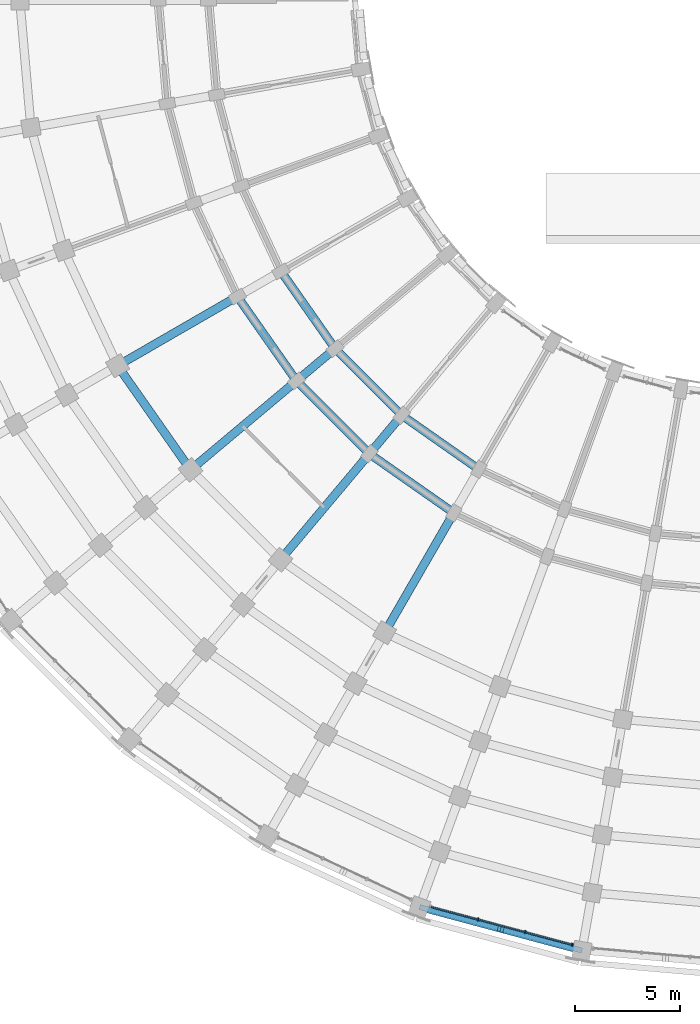
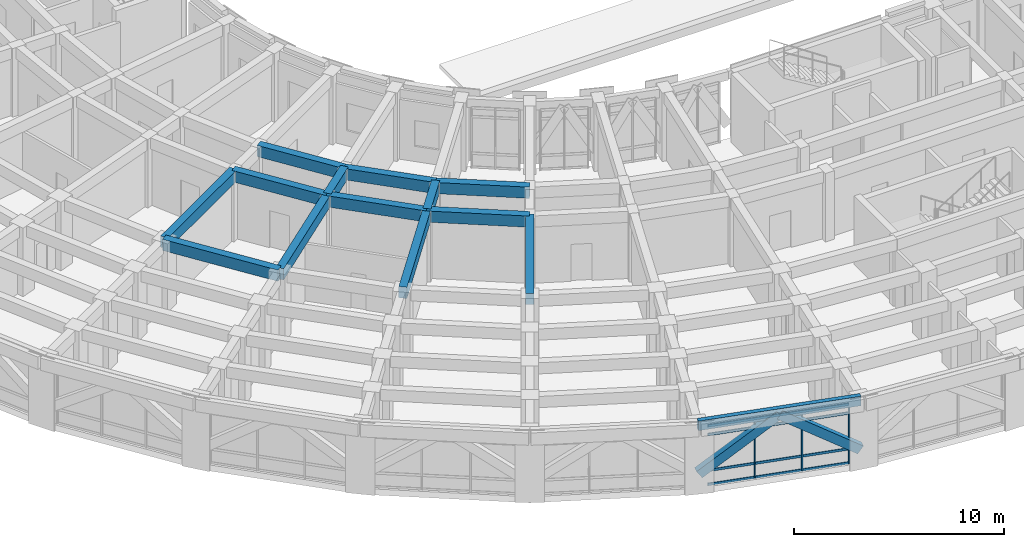
# One storey, part 7 of 97: 16 beams, 7 members, 1 element without a shape of its own.
"""IFC4 building model written with IfcOpenShell, lengths in metres."""

from ifc_helpers import new_model, si_unit, direction, frame, origin, origin_2d, place, context, subcontext, project, spatial, rectangle, extrude, material, material_profile, profile_set, type_object, element, aggregate, save


model = new_model("IFC4")

# Units and contexts
model_context = context("Model", 3, precision=1e-05, world=origin(), true_north=direction((0.0, 1.0)))
body_context = subcontext(model_context, "Body", "Model", "MODEL_VIEW")
ifc_project = project(units=[si_unit("LENGTHUNIT", "METRE"), si_unit("AREAUNIT", "SQUARE_METRE"), si_unit("VOLUMEUNIT", "CUBIC_METRE"), si_unit("PLANEANGLEUNIT", "RADIAN"), si_unit("MASSUNIT", "GRAM", prefix="KILO")], contexts=[model_context])

# Site, building, storey
site_placement = place(None, origin())
site = spatial("IfcSite", under=ifc_project, at=site_placement, CompositionType="ELEMENT")
building_placement = place(site_placement, origin())
building = spatial("IfcBuilding", under=site, at=building_placement, Name="Kiranvali Square Residences", CompositionType="ELEMENT")
storey_placement = place(building_placement, frame((0.0, 0.0, 4.5)))
storey = spatial("IfcBuildingStorey", under=building, at=storey_placement, Name="L01", CompositionType="ELEMENT", Elevation=4.5)

# Beams
ifc_material_1 = material(Name="Concrete M40 (40 MPa)", Category="concrete")
ifc_material_profile_1 = material_profile(ifc_material_1, rectangle(XDim=0.35009765625, YDim=0.5, at=origin_2d()), Name="RC 350x500")
ifc_profile_set_1 = profile_set([ifc_material_profile_1], Name="Concrete M40 (40 MPa)")
beam_type_1 = type_object("IfcBeamType", Name="AR-M40-350x500", PredefinedType="USERDEFINED", material=ifc_profile_set_1)
for number, where, z_axis, x_axis, name in (
    (1, (40.173583984375, 2.9091796875, 0.89990234375), (-0.793981793339, 0.212753144827, 0.56949891239), (-0.2588262692, -0.965923890569, 0.0), "Classical pointed Ottoman arch rib ARCH-C-CRV-7-01.1"),
    (2, (36.339599609375, 3.9365234375, 3.64990234375), (-0.793981793339, 0.212753144827, -0.56949891239), (-0.2588262692, -0.965923890569, 0.0), "Classical pointed Ottoman arch rib ARCH-C-CRV-7-01.2"),
):
    element("IfcBeam", number, at=place(storey_placement, frame(where, z_axis=z_axis, x_axis=x_axis)), inside=storey, type_object=beam_type_1, Name=name, ObjectType="ARCH RIB", PredefinedType="USERDEFINED", context=body_context, shape_type="SweptSolid", body=[
        extrude(rectangle(XDim=0.35009765625, YDim=0.5, at=origin_2d()), origin(), (0.0, 0.0, 1.0), 4.828857421875),
    ])
ifc_material_2 = material(Name="Concrete M45 (45 MPa)", Category="concrete")
ifc_material_profile_2 = material_profile(ifc_material_2, rectangle(XDim=0.39990234375, YDim=0.64990234375, at=origin_2d()), Name="RC 400x650")
ifc_profile_set_2 = profile_set([ifc_material_profile_2], Name="Concrete M45 (45 MPa)")
beam_type_2 = type_object("IfcBeamType", Name="BM-M45-400x650", PredefinedType="BEAM", material=ifc_profile_set_2)
beam_1_placement = place(storey_placement, frame((35.300048828125, 25.8564453125, 3.655029296875), z_axis=(-0.819155404658, 0.573571637217, 0.0), x_axis=(-0.573571637217, -0.819155404658, 0.0)))
element("IfcBeam", 3, at=beam_1_placement, inside=storey, type_object=beam_type_2, Name="L01 beam BM-C-L01-C03-R1", PredefinedType="BEAM", context=body_context, shape_type="SweptSolid", body=[
    extrude(rectangle(XDim=0.39990234375, YDim=0.64990234375, at=origin_2d()), origin(), (0.0, 0.0, 1.0), 4.497314453125),
])
beam_2_placement = place(storey_placement, frame((34.10009765625, 23.778076171875, 3.655029296875), z_axis=(-0.819140911474, 0.573592335331, 0.0), x_axis=(-0.573592335331, -0.819140911474, 0.0)))
element("IfcBeam", 4, at=beam_2_placement, inside=storey, type_object=beam_type_2, Name="L01 beam BM-C-L01-C03-R2", PredefinedType="BEAM", context=body_context, shape_type="SweptSolid", body=[
    extrude(rectangle(XDim=0.39990234375, YDim=0.64990234375, at=origin_2d()), origin(), (0.0, 0.0, 1.0), 4.915771484375),
])
beam_3_placement = place(storey_placement, frame((31.615966796875, 28.43603515625, 3.655029296875), z_axis=(-0.707106781187, 0.707106781187, 0.0), x_axis=(-0.707106781187, -0.707106781187, 0.0)))
element("IfcBeam", 5, at=beam_3_placement, inside=storey, type_object=beam_type_2, Name="L01 beam BM-C-L01-C04-R1", PredefinedType="BEAM", context=body_context, shape_type="SweptSolid", body=[
    extrude(rectangle(XDim=0.39990234375, YDim=0.64990234375, at=origin_2d()), origin(), (0.0, 0.0, 1.0), 4.4970703125),
])
beam_4_placement = place(storey_placement, frame((30.073486328125, 26.59765625, 3.655029296875), z_axis=(-0.707106781187, 0.707106781187, 0.0), x_axis=(-0.707106781187, -0.707106781187, 0.0)))
element("IfcBeam", 6, at=beam_4_placement, inside=storey, type_object=beam_type_2, Name="L01 beam BM-C-L01-C04-R2", PredefinedType="BEAM", context=body_context, shape_type="SweptSolid", body=[
    extrude(rectangle(XDim=0.39990234375, YDim=0.64990234375, at=origin_2d()), origin(), (0.0, 0.0, 1.0), 4.91552734375),
])
beam_5_placement = place(storey_placement, frame((28.43603515625, 31.615966796875, 3.655029296875), z_axis=(-0.573571637217, 0.819155404658, 0.0), x_axis=(-0.819155404658, -0.573571637217, 0.0)))
element("IfcBeam", 7, at=beam_5_placement, inside=storey, type_object=beam_type_2, Name="L01 beam BM-C-L01-C05-R1", PredefinedType="BEAM", context=body_context, shape_type="SweptSolid", body=[
    extrude(rectangle(XDim=0.39990234375, YDim=0.64990234375, at=origin_2d()), origin(), (0.0, 0.0, 1.0), 4.497314453125),
])
beam_6_placement = place(storey_placement, frame((26.59765625, 30.073486328125, 3.655029296875), z_axis=(-0.573592335331, 0.819140911474, 0.0), x_axis=(-0.819140911474, -0.573592335331, 0.0)))
element("IfcBeam", 8, at=beam_6_placement, inside=storey, type_object=beam_type_2, Name="L01 beam BM-C-L01-C05-R2", PredefinedType="BEAM", context=body_context, shape_type="SweptSolid", body=[
    extrude(rectangle(XDim=0.39990234375, YDim=0.64990234375, at=origin_2d()), origin(), (0.0, 0.0, 1.0), 4.915771484375),
])
beam_7_placement = place(storey_placement, frame((21.541748046875, 25.8310546875, 3.655029296875), z_axis=(-0.573594691504, 0.81913926159, 0.0), x_axis=(-0.81913926159, -0.573594691504, 0.0)))
element("IfcBeam", 9, at=beam_7_placement, inside=storey, type_object=beam_type_2, Name="L01 beam BM-C-L01-C05-R3", PredefinedType="BEAM", context=body_context, shape_type="SweptSolid", body=[
    extrude(rectangle(XDim=0.39990234375, YDim=0.64990234375, at=origin_2d()), origin(), (0.0, 0.0, 1.0), 6.066162109375),
])
beam_8_placement = place(storey_placement, frame((34.10009765625, 23.778076171875, 3.655029296875), z_axis=(-0.500002094529, -0.866024194504, 0.0), x_axis=(0.866024194504, -0.500002094529, 0.0)))
element("IfcBeam", 10, at=beam_8_placement, inside=storey, type_object=beam_type_2, Name="L01 beam BM-C-L01-RAD03-23", PredefinedType="BEAM", context=body_context, shape_type="SweptSolid", body=[
    extrude(rectangle(XDim=0.39990234375, YDim=0.64990234375, at=origin_2d()), origin(), (0.0, 0.0, 1.0), 6.60009765625),
])
beam_9_placement = place(storey_placement, frame((31.615966796875, 28.43603515625, 3.655029296875), z_axis=(-0.642762521781, -0.766065493671, 0.0), x_axis=(0.766065493671, -0.642762521781, 0.0)))
element("IfcBeam", 11, at=beam_9_placement, inside=storey, type_object=beam_type_2, Name="L01 beam BM-C-L01-RAD04-12", PredefinedType="BEAM", context=body_context, shape_type="SweptSolid", body=[
    extrude(rectangle(XDim=0.39990234375, YDim=0.64990234375, at=origin_2d()), origin(), (0.0, 0.0, 1.0), 2.399658203125),
])
beam_10_placement = place(storey_placement, frame((30.073486328125, 26.59765625, 3.655029296875), z_axis=(-0.642789470807, -0.766042881449, 0.0), x_axis=(0.766042881449, -0.642789470807, 0.0)))
element("IfcBeam", 12, at=beam_10_placement, inside=storey, type_object=beam_type_2, Name="L01 beam BM-C-L01-RAD04-23", PredefinedType="BEAM", context=body_context, shape_type="SweptSolid", body=[
    extrude(rectangle(XDim=0.39990234375, YDim=0.64990234375, at=origin_2d()), origin(), (0.0, 0.0, 1.0), 6.60009765625),
])
beam_11_placement = place(storey_placement, frame((28.43603515625, 31.615966796875, 3.655029296875), z_axis=(-0.766065493671, -0.642762521781, 0.0), x_axis=(0.642762521781, -0.766065493671, 0.0)))
element("IfcBeam", 13, at=beam_11_placement, inside=storey, type_object=beam_type_2, Name="L01 beam BM-C-L01-RAD05-12", PredefinedType="BEAM", context=body_context, shape_type="SweptSolid", body=[
    extrude(rectangle(XDim=0.39990234375, YDim=0.64990234375, at=origin_2d()), origin(), (0.0, 0.0, 1.0), 2.399658203125),
])
for number, where, z_axis, x_axis, name in (
    (14, (26.59765625, 30.073486328125, 3.655029296875), (-0.766042881449, -0.642789470807, 0.0), (0.642789470807, -0.766042881449, 0.0), "L01 beam BM-C-L01-RAD05-23"),
    (15, (23.778076171875, 34.10009765625, 3.655029296875), (-0.866024194504, -0.500002094529, 0.0), (0.500002094529, -0.866024194504, 0.0), "L01 beam BM-C-L01-RAD06-23"),
):
    element("IfcBeam", number, at=place(storey_placement, frame(where, z_axis=z_axis, x_axis=x_axis)), inside=storey, type_object=beam_type_2, Name=name, PredefinedType="BEAM", context=body_context, shape_type="SweptSolid", body=[
        extrude(rectangle(XDim=0.39990234375, YDim=0.64990234375, at=origin_2d()), origin(), (0.0, 0.0, 1.0), 6.60009765625),
    ])

# Curtain wall, members
ifc_material_3 = material(Name="Anodised bronze aluminium framing", Category="aluminium")
curtain_wall_type = type_object("IfcCurtainWallType", Name="CW-RET-SHOP", PredefinedType="USERDEFINED", material=ifc_material_3)
curtain_wall_placement = place(storey_placement, origin())
curtain_wall = element("IfcCurtainWall", 16, at=curtain_wall_placement, inside=storey, type_object=curtain_wall_type, Name="Block C L01 rounded-corner arcade curtain wall 2", ObjectType="CURTAIN WALL", PredefinedType="USERDEFINED")
ifc_material_profile_3 = material_profile(ifc_material_3, rectangle(XDim=0.06494140625, YDim=0.159912109375, at=origin_2d()), Name="ALU 65x160")
ifc_profile_set_3 = profile_set([ifc_material_profile_3], Name="Anodised bronze aluminium framing")
member_type_1 = type_object("IfcMemberType", Name="CW-MUL-160", PredefinedType="MULLION", material=ifc_profile_set_3)
member_1_placement = place(storey_placement, frame((39.748779296875, 3.17822265625, 0.02001953125), z_axis=(0.0, 0.0, 1.0), x_axis=(-0.965925826289, 0.258819045103, 0.0)))
member_1 = element("IfcMember", 17, at=member_1_placement, type_object=member_type_1, Name="CW-C-L01-CRV-01 vertical mullion 1", PredefinedType="MULLION", context=body_context, shape_type="SweptSolid", body=[
    extrude(rectangle(XDim=0.06494140625, YDim=0.159912109375, at=origin_2d()), origin(), (0.0, 0.0, 1.0), 3.43994140625),
])
member_2_placement = place(storey_placement, frame((37.501953125, 3.7802734375, 0.02001953125), z_axis=(0.0, 0.0, 1.0), x_axis=(-0.965925826289, 0.258819045103, 0.0)))
member_2 = element("IfcMember", 18, at=member_2_placement, type_object=member_type_1, Name="CW-C-L01-CRV-01 vertical mullion 2", PredefinedType="MULLION", context=body_context, shape_type="SweptSolid", body=[
    extrude(rectangle(XDim=0.06494140625, YDim=0.159912109375, at=origin_2d()), origin(), (0.0, 0.0, 1.0), 3.43994140625),
])
member_3_placement = place(storey_placement, frame((35.255126953125, 4.38232421875, 0.02001953125), z_axis=(0.0, 0.0, 1.0), x_axis=(-0.965925826289, 0.258819045103, 0.0)))
member_3 = element("IfcMember", 19, at=member_3_placement, type_object=member_type_1, Name="CW-C-L01-CRV-01 vertical mullion 3", PredefinedType="MULLION", context=body_context, shape_type="SweptSolid", body=[
    extrude(rectangle(XDim=0.06494140625, YDim=0.159912109375, at=origin_2d()), origin(), (0.0, 0.0, 1.0), 3.43994140625),
])
ifc_material_profile_4 = material_profile(ifc_material_3, rectangle(XDim=0.06494140625, YDim=0.139892578125, at=origin_2d()), Name="ALU 65x140")
ifc_profile_set_4 = profile_set([ifc_material_profile_4], Name="Anodised bronze aluminium framing")
member_type_2 = type_object("IfcMemberType", Name="CW-TRN-140", PredefinedType="MULLION", material=ifc_profile_set_4)
member_4_placement = place(storey_placement, frame((39.739013671875, 3.180908203125, 0.0400390625), z_axis=(-0.96592267958, 0.258830788495, 0.0), x_axis=(-0.258830788495, -0.96592267958, 0.0)))
member_4 = element("IfcMember", 20, at=member_4_placement, type_object=member_type_2, Name="CW-C-L01-CRV-01 horizontal transom 1", PredefinedType="MULLION", context=body_context, shape_type="SweptSolid", body=[
    extrude(rectangle(XDim=0.06494140625, YDim=0.139892578125, at=origin_2d()), origin(), (0.0, 0.0, 1.0), 6.958251953125),
])
member_5_placement = place(storey_placement, frame((39.739013671875, 3.180908203125, 0.85009765625), z_axis=(-0.96592267958, 0.258830788495, 0.0), x_axis=(-0.258830788495, -0.96592267958, 0.0)))
member_5 = element("IfcMember", 21, at=member_5_placement, type_object=member_type_2, Name="CW-C-L01-CRV-01 horizontal transom 2", PredefinedType="MULLION", context=body_context, shape_type="SweptSolid", body=[
    extrude(rectangle(XDim=0.06494140625, YDim=0.139892578125, at=origin_2d()), origin(), (0.0, 0.0, 1.0), 6.958251953125),
])
member_6_placement = place(storey_placement, frame((39.739013671875, 3.180908203125, 2.929931640625), z_axis=(-0.96592267958, 0.258830788495, 0.0), x_axis=(-0.258830788495, -0.96592267958, 0.0)))
member_6 = element("IfcMember", 22, at=member_6_placement, type_object=member_type_2, Name="CW-C-L01-CRV-01 horizontal transom 3", PredefinedType="MULLION", context=body_context, shape_type="SweptSolid", body=[
    extrude(rectangle(XDim=0.06494140625, YDim=0.139892578125, at=origin_2d()), origin(), (0.0, 0.0, 1.0), 6.958251953125),
])
member_7_placement = place(storey_placement, frame((39.739013671875, 3.180908203125, 3.43994140625), z_axis=(-0.96592267958, 0.258830788495, 0.0), x_axis=(-0.258830788495, -0.96592267958, 0.0)))
member_7 = element("IfcMember", 23, at=member_7_placement, type_object=member_type_2, Name="CW-C-L01-CRV-01 horizontal transom 4", PredefinedType="MULLION", context=body_context, shape_type="SweptSolid", body=[
    extrude(rectangle(XDim=0.06494140625, YDim=0.139892578125, at=origin_2d()), origin(), (0.0, 0.0, 1.0), 6.958251953125),
])
aggregate(curtain_wall, [member_1, member_2, member_3, member_4, member_5, member_6, member_7])

# Beam
ifc_material_profile_5 = material_profile(ifc_material_1, rectangle(XDim=0.25, YDim=0.550048828125, at=origin_2d()), Name="RC 250x550")
ifc_profile_set_5 = profile_set([ifc_material_profile_5], Name="Concrete M40 (40 MPa)")
beam_type_3 = type_object("IfcBeamType", Name="SPN-M40-250x550", PredefinedType="SPANDREL", material=ifc_profile_set_5)
beam_12_placement = place(storey_placement, frame((40.212158203125, 2.89892578125, 3.705078125), z_axis=(-0.96592902462, 0.258807108475, 0.0), x_axis=(-0.258807108475, -0.96592902462, 0.0)))
element("IfcBeam", 24, at=beam_12_placement, inside=storey, type_object=beam_type_3, Name="L01 beam BM-C-L01-C01-R7", PredefinedType="SPANDREL", context=body_context, shape_type="SweptSolid", body=[
    extrude(rectangle(XDim=0.25, YDim=0.550048828125, at=origin_2d()), origin(), (0.0, 0.0, 1.0), 8.018310546875),
])

save(model, "model.ifc")
